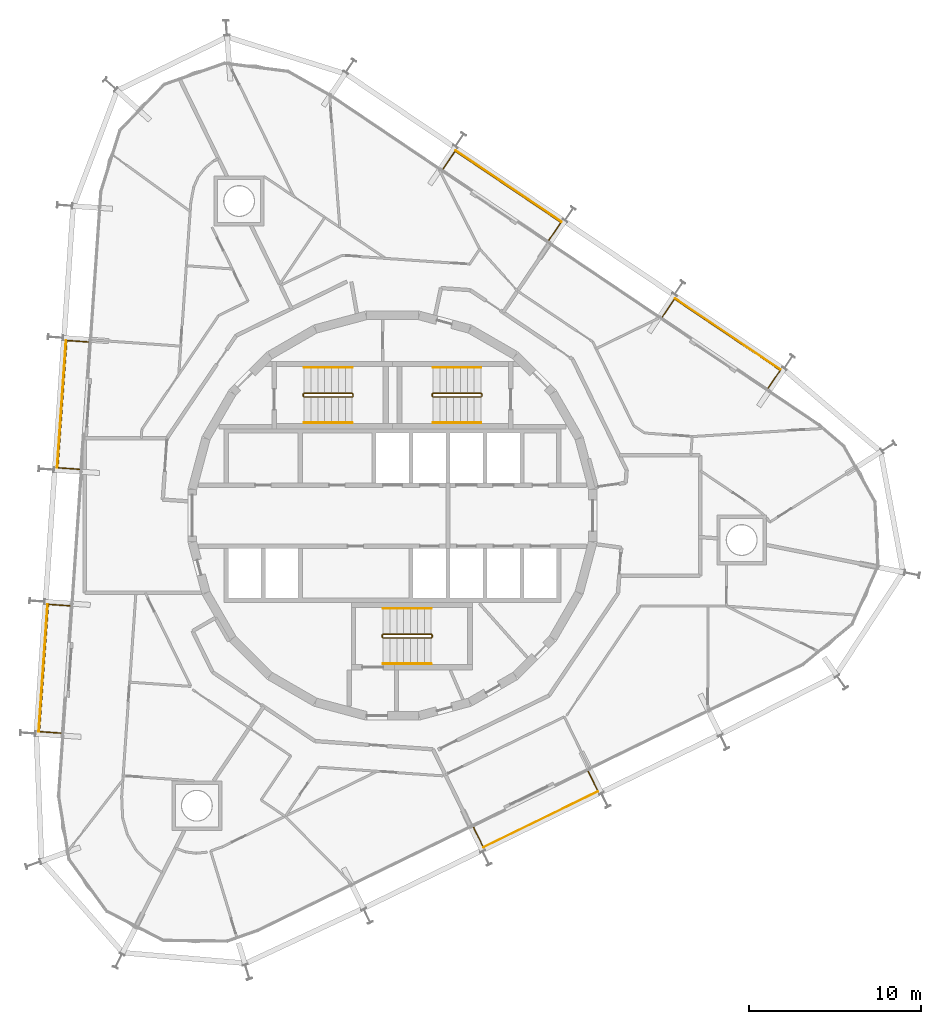
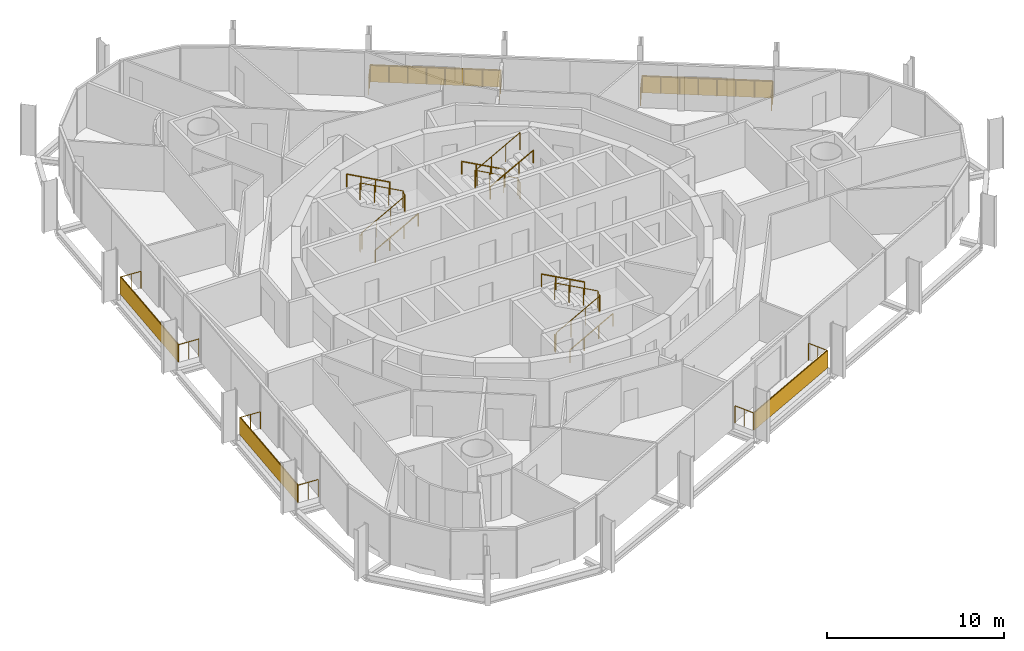
# One storey, part 17 of 17: 14 railings, 5 shading devices.
"""IFC4 building model written with IfcOpenShell, lengths in metres."""

from ifc_helpers import new_model, si_unit, direction, frame, origin, origin_2d, place, context, subcontext, project, spatial, rectangle, circle, extrude, material, layer, layer_set, type_object, element, save


model = new_model("IFC4")

# Units and contexts
model_context = context("Model", 3, precision=1e-05, world=origin(), true_north=direction((0.0, 1.0)))
body_context = subcontext(model_context, "Body", "Model", "MODEL_VIEW")
ifc_project = project(units=[si_unit("LENGTHUNIT", "METRE"), si_unit("AREAUNIT", "SQUARE_METRE"), si_unit("VOLUMEUNIT", "CUBIC_METRE"), si_unit("PLANEANGLEUNIT", "RADIAN"), si_unit("MASSUNIT", "GRAM", prefix="KILO")], contexts=[model_context])

# Site, building, storey
site_placement = place(None, origin())
site = spatial("IfcSite", under=ifc_project, at=site_placement, CompositionType="ELEMENT")
building_placement = place(site_placement, origin())
building = spatial("IfcBuilding", under=site, at=building_placement, Name="Spindle Arch Residences", CompositionType="ELEMENT")
storey_placement = place(building_placement, frame((0.0, 0.0, 212.89990234375)))
storey = spatial("IfcBuildingStorey", under=building, at=storey_placement, Name="L54", CompositionType="ELEMENT", Elevation=212.89990234375)

# Railings
ifc_material_1 = material(Name="Bronze anodised aluminium guard with glass infill", Category="aluminium")
railing_type_1 = type_object("IfcRailingType", Name="Balcony guard 1200", PredefinedType="GUARDRAIL", material=ifc_material_1)
railing_1_placement = place(storey_placement, frame((21.8544921875, 7.41796875, 0.0)))
element("IfcRailing", 1, at=railing_1_placement, inside=storey, type_object=railing_type_1, Name="Guard L54 bay 6", PredefinedType="GUARDRAIL", context=body_context, shape_type="SweptSolid", body=[
    extrude(circle(Radius=0.02392578125, at=origin_2d()), frame((0.0, 0.0, 1.17578125), z_axis=(0.559154156027, 0.829063706718, 0.0), x_axis=(-0.829063706718, 0.559154156027, 0.0)), (0.0, 0.0, 1.0), 1.25),
    extrude(circle(Radius=0.02392578125, at=origin_2d()), frame((0.698974609375, 1.036376953125, 1.17578125), z_axis=(-0.829032773144, 0.559200018824, 0.0), x_axis=(-0.559200018824, -0.829032773144, 0.0)), (0.0, 0.0, 1.0), 7.423828125),
    extrude(circle(Radius=0.02392578125, at=origin_2d()), frame((-5.45556640625, 5.187744140625, 1.17578125), z_axis=(-0.559154156027, -0.829063706718, 0.0), x_axis=(0.829063706718, -0.559154156027, 0.0)), (0.0, 0.0, 1.0), 1.25),
    extrude(circle(Radius=0.02099609375, at=origin_2d()), origin(), (0.0, 0.0, 1.0), 1.15185546875),
    extrude(circle(Radius=0.02099609375, at=origin_2d()), frame((0.349609375, 0.51806640625, 0.0)), (0.0, 0.0, 1.0), 1.15185546875),
    extrude(circle(Radius=0.02099609375, at=origin_2d()), frame((0.698974609375, 1.036376953125, 0.0)), (0.0, 0.0, 1.0), 1.15185546875),
    extrude(circle(Radius=0.02099609375, at=origin_2d()), frame((-0.18017578125, 1.62939453125, 0.0)), (0.0, 0.0, 1.0), 1.15185546875),
    extrude(circle(Radius=0.02099609375, at=origin_2d()), frame((-1.0595703125, 2.222412109375, 0.0)), (0.0, 0.0, 1.0), 1.15185546875),
    extrude(circle(Radius=0.02099609375, at=origin_2d()), frame((-1.938720703125, 2.8154296875, 0.0)), (0.0, 0.0, 1.0), 1.15185546875),
    extrude(circle(Radius=0.02099609375, at=origin_2d()), frame((-2.81787109375, 3.40869140625, 0.0)), (0.0, 0.0, 1.0), 1.15185546875),
    extrude(circle(Radius=0.02099609375, at=origin_2d()), frame((-3.697021484375, 4.001708984375, 0.0)), (0.0, 0.0, 1.0), 1.15185546875),
    extrude(circle(Radius=0.02099609375, at=origin_2d()), frame((-4.576416015625, 4.5947265625, 0.0)), (0.0, 0.0, 1.0), 1.15185546875),
    extrude(circle(Radius=0.02099609375, at=origin_2d()), frame((-5.45556640625, 5.187744140625, 0.0)), (0.0, 0.0, 1.0), 1.15185546875),
    extrude(circle(Radius=0.02099609375, at=origin_2d()), frame((-5.80517578125, 4.66943359375, 0.0)), (0.0, 0.0, 1.0), 1.15185546875),
    extrude(circle(Radius=0.02099609375, at=origin_2d()), frame((-6.154541015625, 4.1513671875, 0.0)), (0.0, 0.0, 1.0), 1.15185546875),
])
railing_2_placement = place(storey_placement, frame((9.097900390625, 16.022705078125, 0.0)))
element("IfcRailing", 2, at=railing_2_placement, inside=storey, type_object=railing_type_1, Name="Guard L54 bay 8", PredefinedType="GUARDRAIL", context=body_context, shape_type="SweptSolid", body=[
    extrude(circle(Radius=0.02392578125, at=origin_2d()), frame((0.0, 0.0, 1.17578125), z_axis=(0.559244705098, 0.829002629562, 0.0), x_axis=(-0.829002629562, 0.559244705098, 0.0)), (0.0, 0.0, 1.0), 1.249755859375),
    extrude(circle(Radius=0.02392578125, at=origin_2d()), frame((0.698974609375, 1.0361328125, 1.17578125), z_axis=(-0.829032773144, 0.559200018824, 0.0), x_axis=(-0.559200018824, -0.829032773144, 0.0)), (0.0, 0.0, 1.0), 7.423828125),
    extrude(circle(Radius=0.02392578125, at=origin_2d()), frame((-5.45556640625, 5.1875, 1.17578125), z_axis=(-0.559154156027, -0.829063706718, 0.0), x_axis=(0.829063706718, -0.559154156027, 0.0)), (0.0, 0.0, 1.0), 1.25),
    extrude(circle(Radius=0.02099609375, at=origin_2d()), origin(), (0.0, 0.0, 1.0), 1.15185546875),
    extrude(circle(Radius=0.02099609375, at=origin_2d()), frame((0.349609375, 0.51806640625, 0.0)), (0.0, 0.0, 1.0), 1.15185546875),
    extrude(circle(Radius=0.02099609375, at=origin_2d()), frame((0.698974609375, 1.0361328125, 0.0)), (0.0, 0.0, 1.0), 1.15185546875),
    extrude(circle(Radius=0.02099609375, at=origin_2d()), frame((-0.18017578125, 1.629150390625, 0.0)), (0.0, 0.0, 1.0), 1.15185546875),
    extrude(circle(Radius=0.02099609375, at=origin_2d()), frame((-1.0595703125, 2.22216796875, 0.0)), (0.0, 0.0, 1.0), 1.15185546875),
    extrude(circle(Radius=0.02099609375, at=origin_2d()), frame((-1.938720703125, 2.815185546875, 0.0)), (0.0, 0.0, 1.0), 1.15185546875),
    extrude(circle(Radius=0.02099609375, at=origin_2d()), frame((-2.81787109375, 3.408447265625, 0.0)), (0.0, 0.0, 1.0), 1.15185546875),
    extrude(circle(Radius=0.02099609375, at=origin_2d()), frame((-3.697021484375, 4.00146484375, 0.0)), (0.0, 0.0, 1.0), 1.15185546875),
    extrude(circle(Radius=0.02099609375, at=origin_2d()), frame((-4.576416015625, 4.594482421875, 0.0)), (0.0, 0.0, 1.0), 1.15185546875),
    extrude(circle(Radius=0.02099609375, at=origin_2d()), frame((-5.45556640625, 5.1875, 0.0)), (0.0, 0.0, 1.0), 1.15185546875),
    extrude(circle(Radius=0.02099609375, at=origin_2d()), frame((-5.80517578125, 4.66943359375, 0.0)), (0.0, 0.0, 1.0), 1.15185546875),
    extrude(circle(Radius=0.02099609375, at=origin_2d()), frame((-6.154541015625, 4.151123046875, 0.0)), (0.0, 0.0, 1.0), 1.15185546875),
])
railing_3_placement = place(storey_placement, frame((-17.709228515625, 10.100830078125, 0.0)))
element("IfcRailing", 3, at=railing_3_placement, inside=storey, type_object=railing_type_1, Name="Guard L54 bay 14", PredefinedType="GUARDRAIL", context=body_context, shape_type="SweptSolid", body=[
    extrude(circle(Radius=0.02392578125, at=origin_2d()), frame((0.0, 0.0, 1.17578125), z_axis=(-0.997552977804, 0.06991463705, 0.0), x_axis=(-0.06991463705, -0.997552977804, 0.0)), (0.0, 0.0, 1.0), 1.250244140625),
    extrude(circle(Radius=0.02392578125, at=origin_2d()), frame((-1.2470703125, 0.08740234375, 1.17578125), z_axis=(-0.069751240415, -0.997564416196, 0.0), x_axis=(0.997564416196, -0.069751240415, 0.0)), (0.0, 0.0, 1.0), 7.423828125),
    extrude(circle(Radius=0.02392578125, at=origin_2d()), frame((-1.764892578125, -7.318359375, 1.17578125), z_axis=(0.997566579437, -0.069720295391, 0.0), x_axis=(0.069720295391, 0.997566579437, 0.0)), (0.0, 0.0, 1.0), 1.25),
    extrude(circle(Radius=0.02099609375, at=origin_2d()), origin(), (0.0, 0.0, 1.0), 1.15185546875),
    extrude(circle(Radius=0.02099609375, at=origin_2d()), frame((-0.62353515625, 0.043701171875, 0.0)), (0.0, 0.0, 1.0), 1.15185546875),
    extrude(circle(Radius=0.02099609375, at=origin_2d()), frame((-1.2470703125, 0.08740234375, 0.0)), (0.0, 0.0, 1.0), 1.15185546875),
    extrude(circle(Radius=0.02099609375, at=origin_2d()), frame((-1.321044921875, -0.970458984375, 0.0)), (0.0, 0.0, 1.0), 1.15185546875),
    extrude(circle(Radius=0.02099609375, at=origin_2d()), frame((-1.39501953125, -2.028564453125, 0.0)), (0.0, 0.0, 1.0), 1.15185546875),
    extrude(circle(Radius=0.02099609375, at=origin_2d()), frame((-1.468994140625, -3.08642578125, 0.0)), (0.0, 0.0, 1.0), 1.15185546875),
    extrude(circle(Radius=0.02099609375, at=origin_2d()), frame((-1.54296875, -4.14453125, 0.0)), (0.0, 0.0, 1.0), 1.15185546875),
    extrude(circle(Radius=0.02099609375, at=origin_2d()), frame((-1.616943359375, -5.202392578125, 0.0)), (0.0, 0.0, 1.0), 1.15185546875),
    extrude(circle(Radius=0.02099609375, at=origin_2d()), frame((-1.69091796875, -6.260498046875, 0.0)), (0.0, 0.0, 1.0), 1.15185546875),
    extrude(circle(Radius=0.02099609375, at=origin_2d()), frame((-1.764892578125, -7.318359375, 0.0)), (0.0, 0.0, 1.0), 1.15185546875),
    extrude(circle(Radius=0.02099609375, at=origin_2d()), frame((-1.141357421875, -7.36181640625, 0.0)), (0.0, 0.0, 1.0), 1.15185546875),
    extrude(circle(Radius=0.02099609375, at=origin_2d()), frame((-0.517822265625, -7.405517578125, 0.0)), (0.0, 0.0, 1.0), 1.15185546875),
])
railing_4_placement = place(storey_placement, frame((-18.78271484375, -5.2490234375, 0.0)))
element("IfcRailing", 4, at=railing_4_placement, inside=storey, type_object=railing_type_1, Name="Guard L54 bay 16", PredefinedType="GUARDRAIL", context=body_context, shape_type="SweptSolid", body=[
    extrude(circle(Radius=0.02392578125, at=origin_2d()), frame((0.0, 0.0, 1.17578125), z_axis=(-0.997565629847, 0.069733880919, 0.0), x_axis=(-0.069733880919, -0.997565629847, 0.0)), (0.0, 0.0, 1.0), 1.249755859375),
    extrude(circle(Radius=0.02392578125, at=origin_2d()), frame((-1.246826171875, 0.087158203125, 1.17578125), z_axis=(-0.069753528744, -0.99756425619, 0.0), x_axis=(0.99756425619, -0.069753528744, 0.0)), (0.0, 0.0, 1.0), 7.423583984375),
    extrude(circle(Radius=0.02392578125, at=origin_2d()), frame((-1.7646484375, -7.318359375, 1.17578125), z_axis=(0.997565629847, -0.069733880919, 0.0), x_axis=(0.069733880919, 0.997565629847, 0.0)), (0.0, 0.0, 1.0), 1.249755859375),
    extrude(circle(Radius=0.02099609375, at=origin_2d()), origin(), (0.0, 0.0, 1.0), 1.15185546875),
    extrude(circle(Radius=0.02099609375, at=origin_2d()), frame((-0.62353515625, 0.04345703125, 0.0)), (0.0, 0.0, 1.0), 1.15185546875),
    extrude(circle(Radius=0.02099609375, at=origin_2d()), frame((-1.246826171875, 0.087158203125, 0.0)), (0.0, 0.0, 1.0), 1.15185546875),
    extrude(circle(Radius=0.02099609375, at=origin_2d()), frame((-1.32080078125, -0.970703125, 0.0)), (0.0, 0.0, 1.0), 1.15185546875),
    extrude(circle(Radius=0.02099609375, at=origin_2d()), frame((-1.394775390625, -2.02880859375, 0.0)), (0.0, 0.0, 1.0), 1.15185546875),
    extrude(circle(Radius=0.02099609375, at=origin_2d()), frame((-1.46875, -3.086669921875, 0.0)), (0.0, 0.0, 1.0), 1.15185546875),
    extrude(circle(Radius=0.02099609375, at=origin_2d()), frame((-1.542724609375, -4.14453125, 0.0)), (0.0, 0.0, 1.0), 1.15185546875),
    extrude(circle(Radius=0.02099609375, at=origin_2d()), frame((-1.61669921875, -5.202392578125, 0.0)), (0.0, 0.0, 1.0), 1.15185546875),
    extrude(circle(Radius=0.02099609375, at=origin_2d()), frame((-1.690673828125, -6.260498046875, 0.0)), (0.0, 0.0, 1.0), 1.15185546875),
    extrude(circle(Radius=0.02099609375, at=origin_2d()), frame((-1.7646484375, -7.318359375, 0.0)), (0.0, 0.0, 1.0), 1.15185546875),
    extrude(circle(Radius=0.02099609375, at=origin_2d()), frame((-1.14111328125, -7.36181640625, 0.0)), (0.0, 0.0, 1.0), 1.15185546875),
    extrude(circle(Radius=0.02099609375, at=origin_2d()), frame((-0.517822265625, -7.405517578125, 0.0)), (0.0, 0.0, 1.0), 1.15185546875),
])
railing_5_placement = place(storey_placement, frame((4.717041015625, -18.138671875, 0.0)))
element("IfcRailing", 5, at=railing_5_placement, inside=storey, type_object=railing_type_1, Name="Guard L54 bay 22", PredefinedType="GUARDRAIL", context=body_context, shape_type="SweptSolid", body=[
    extrude(circle(Radius=0.02392578125, at=origin_2d()), frame((0.0, 0.0, 1.17578125), z_axis=(0.438285095444, -0.898836011245, 0.0), x_axis=(0.898836011245, 0.438285095444, 0.0)), (0.0, 0.0, 1.0), 1.25),
    extrude(circle(Radius=0.02392578125, at=origin_2d()), frame((0.5478515625, -1.12353515625, 1.17578125), z_axis=(0.898790569069, 0.438378276096, 0.0), x_axis=(-0.438378276096, 0.898790569069, 0.0)), (0.0, 0.0, 1.0), 7.423828125),
    extrude(circle(Radius=0.02392578125, at=origin_2d()), frame((7.22021484375, 2.130859375, 1.17578125), z_axis=(-0.438285095444, 0.898836011245, 0.0), x_axis=(-0.898836011245, -0.438285095444, 0.0)), (0.0, 0.0, 1.0), 1.25),
    extrude(circle(Radius=0.02099609375, at=origin_2d()), origin(), (0.0, 0.0, 1.0), 1.15185546875),
    extrude(circle(Radius=0.02099609375, at=origin_2d()), frame((0.27392578125, -0.561767578125, 0.0)), (0.0, 0.0, 1.0), 1.15185546875),
    extrude(circle(Radius=0.02099609375, at=origin_2d()), frame((0.5478515625, -1.12353515625, 0.0)), (0.0, 0.0, 1.0), 1.15185546875),
    extrude(circle(Radius=0.02099609375, at=origin_2d()), frame((1.5009765625, -0.65869140625, 0.0)), (0.0, 0.0, 1.0), 1.15185546875),
    extrude(circle(Radius=0.02099609375, at=origin_2d()), frame((2.454345703125, -0.193603515625, 0.0)), (0.0, 0.0, 1.0), 1.15185546875),
    extrude(circle(Radius=0.02099609375, at=origin_2d()), frame((3.407470703125, 0.271240234375, 0.0)), (0.0, 0.0, 1.0), 1.15185546875),
    extrude(circle(Radius=0.02099609375, at=origin_2d()), frame((4.360595703125, 0.736083984375, 0.0)), (0.0, 0.0, 1.0), 1.15185546875),
    extrude(circle(Radius=0.02099609375, at=origin_2d()), frame((5.313720703125, 1.200927734375, 0.0)), (0.0, 0.0, 1.0), 1.15185546875),
    extrude(circle(Radius=0.02099609375, at=origin_2d()), frame((6.26708984375, 1.666015625, 0.0)), (0.0, 0.0, 1.0), 1.15185546875),
    extrude(circle(Radius=0.02099609375, at=origin_2d()), frame((7.22021484375, 2.130859375, 0.0)), (0.0, 0.0, 1.0), 1.15185546875),
    extrude(circle(Radius=0.02099609375, at=origin_2d()), frame((6.9462890625, 2.692626953125, 0.0)), (0.0, 0.0, 1.0), 1.15185546875),
    extrude(circle(Radius=0.02099609375, at=origin_2d()), frame((6.67236328125, 3.25439453125, 0.0)), (0.0, 0.0, 1.0), 1.15185546875),
])

# Shading devices
ifc_material_2 = material(Name="Bronze perforated cobogo screen")
ifc_layer = layer(ifc_material_2, 0.0390625)
ifc_layer_set = layer_set([ifc_layer], Name="Cobogo screen 1200")
shading_device_type = type_object("IfcShadingDeviceType", Name="Cobogo screen 1200", PredefinedType="USERDEFINED", material=ifc_layer_set)
for number, where, z_axis, x_axis, name in (
    (6, (19.4990234375, 10.5634765625, 0.0), (0.0, 0.0, 1.0), (-0.829037572555, 0.559192903471, 0.0), "Cobogo screen L54 bay 6"),
    (7, (6.7421875, 19.168212890625, 0.0), (0.0, 0.0, 1.0), (-0.829037572555, 0.559192903471, 0.0), "Cobogo screen L54 bay 8"),
    (8, (-19.255615234375, 6.488037109375, 0.0), (0.0, 0.0, 1.0), (-0.069756473744, -0.99756405026, 0.0), "Cobogo screen L54 bay 14"),
    (9, (-20.328857421875, -8.86181640625, 0.0), (0.0, 0.0, 1.0), (-0.069756473744, -0.99756405026, 0.0), "Cobogo screen L54 bay 16"),
    (10, (8.618896484375, -17.67138671875, 0.0), (0.0, 0.0, 1.0), (0.898794046299, 0.438371146789, 0.0), "Cobogo screen L54 bay 22"),
):
    element("IfcShadingDevice", number, at=place(storey_placement, frame(where, z_axis=z_axis, x_axis=x_axis)), inside=storey, type_object=shading_device_type, Name=name, ObjectType="SCREEN", PredefinedType="USERDEFINED", context=body_context, shape_type="SweptSolid", body=[
        extrude(rectangle(XDim=7.423828125, YDim=0.0390625, at=origin_2d()), origin(), (0.0, 0.0, 1.0), 1.199951171875),
    ])

# Railings
ifc_material_3 = material(Name="Steel, painted", Category="steel")
railing_type_2 = type_object("IfcRailingType", Name="Stair guard 1100", PredefinedType="GUARDRAIL", material=ifc_material_3)
railing_6_placement = place(storey_placement, frame((5.14990234375, 6.89990234375, 3.5)))
element("IfcRailing", 11, at=railing_6_placement, inside=storey, type_object=railing_type_2, Name="L54 ST1 stair guard 1", PredefinedType="GUARDRAIL", context=body_context, shape_type="SweptSolid", body=[
    extrude(circle(Radius=0.02392578125, at=origin_2d()), frame((0.0, 0.0, 1.17578125), z_axis=(-0.877357048833, 0.0, -0.479838106931), x_axis=(0.0, -1.0, 0.0)), (0.0, 0.0, 1.0), 3.191162109375),
    extrude(circle(Radius=0.02392578125, at=origin_2d()), frame((-2.7998046875, 0.0, -0.35546875), z_axis=(-0.217683172539, 0.217683172539, -0.951434744366), x_axis=(-0.707106781187, -0.707106781187, 0.0)), (0.0, 0.0, 1.0), 0.22998046875),
    extrude(circle(Radius=0.02392578125, at=origin_2d()), frame((-2.849853515625, 0.050048828125, -0.57421875), z_axis=(0.0, 1.0, 0.0), x_axis=(-1.0, 0.0, 0.0)), (0.0, 0.0, 1.0), 0.1201171875),
    extrude(circle(Radius=0.02392578125, at=origin_2d()), frame((-2.849853515625, 0.170166015625, -0.57421875), z_axis=(0.707106781187, 0.707106781187, 0.0), x_axis=(-0.707106781187, 0.707106781187, 0.0)), (0.0, 0.0, 1.0), 0.07080078125),
    extrude(circle(Radius=0.02392578125, at=origin_2d()), frame((-2.7998046875, 0.22021484375, -0.57421875), z_axis=(0.877357048833, 0.0, -0.479838106931), x_axis=(0.0, 1.0, 0.0)), (0.0, 0.0, 1.0), 3.191162109375),
    extrude(circle(Radius=0.02392578125, at=origin_2d()), frame((0.0, 0.22021484375, -2.10546875), z_axis=(0.217683172539, -0.217683172539, -0.951434744366), x_axis=(0.707106781187, 0.707106781187, 0.0)), (0.0, 0.0, 1.0), 0.22998046875),
    extrude(circle(Radius=0.02392578125, at=origin_2d()), frame((0.050048828125, 0.170166015625, -2.32421875), z_axis=(0.0, -1.0, 0.0), x_axis=(1.0, 0.0, 0.0)), (0.0, 0.0, 1.0), 0.1201171875),
    extrude(circle(Radius=0.02099609375, at=origin_2d()), origin(), (0.0, 0.0, 1.0), 1.15185546875),
    extrude(circle(Radius=0.02099609375, at=origin_2d()), frame((-0.933349609375, 0.0, -0.510498046875)), (0.0, 0.0, 1.0), 1.15185546875),
    extrude(circle(Radius=0.02099609375, at=origin_2d()), frame((-1.866455078125, 0.0, -1.020751953125)), (0.0, 0.0, 1.0), 1.15185546875),
    extrude(circle(Radius=0.02099609375, at=origin_2d()), frame((-2.7998046875, 0.0, -1.53125)), (0.0, 0.0, 1.0), 1.15185546875),
    extrude(circle(Radius=0.02099609375, at=origin_2d()), frame((-2.849853515625, 0.050048828125, -1.75)), (0.0, 0.0, 1.0), 1.15185546875),
    extrude(circle(Radius=0.02099609375, at=origin_2d()), frame((-2.849853515625, 0.170166015625, -1.75)), (0.0, 0.0, 1.0), 1.15185546875),
    extrude(circle(Radius=0.02099609375, at=origin_2d()), frame((-2.7998046875, 0.22021484375, -1.75)), (0.0, 0.0, 1.0), 1.15185546875),
    extrude(circle(Radius=0.02099609375, at=origin_2d()), frame((-1.866455078125, 0.22021484375, -2.260498046875)), (0.0, 0.0, 1.0), 1.15185546875),
    extrude(circle(Radius=0.02099609375, at=origin_2d()), frame((-0.933349609375, 0.22021484375, -2.770751953125)), (0.0, 0.0, 1.0), 1.15185546875),
    extrude(circle(Radius=0.02099609375, at=origin_2d()), frame((0.0, 0.22021484375, -3.28125)), (0.0, 0.0, 1.0), 1.15185546875),
    extrude(circle(Radius=0.02099609375, at=origin_2d()), frame((0.050048828125, 0.170166015625, -3.5)), (0.0, 0.0, 1.0), 1.15185546875),
    extrude(circle(Radius=0.02099609375, at=origin_2d()), frame((0.050048828125, 0.050048828125, -3.5)), (0.0, 0.0, 1.0), 1.15185546875),
])
railing_7_placement = place(storey_placement, frame((-5.14990234375, 7.1201171875, 3.5)))
element("IfcRailing", 12, at=railing_7_placement, inside=storey, type_object=railing_type_2, Name="L54 ST2 stair guard 1", PredefinedType="GUARDRAIL", context=body_context, shape_type="SweptSolid", body=[
    extrude(circle(Radius=0.02392578125, at=origin_2d()), frame((0.0, 0.0, 1.17578125), z_axis=(0.877357048833, 0.0, -0.479838106931), x_axis=(0.0, 1.0, 0.0)), (0.0, 0.0, 1.0), 3.191162109375),
    extrude(circle(Radius=0.02392578125, at=origin_2d()), frame((2.7998046875, 0.0, -0.35546875), z_axis=(0.217683172539, -0.217683172539, -0.951434744366), x_axis=(0.707106781187, 0.707106781187, 0.0)), (0.0, 0.0, 1.0), 0.22998046875),
    extrude(circle(Radius=0.02392578125, at=origin_2d()), frame((2.849853515625, -0.050048828125, -0.57421875), z_axis=(0.0, -1.0, 0.0), x_axis=(1.0, 0.0, 0.0)), (0.0, 0.0, 1.0), 0.1201171875),
    extrude(circle(Radius=0.02392578125, at=origin_2d()), frame((2.849853515625, -0.170166015625, -0.57421875), z_axis=(-0.707106781187, -0.707106781187, 0.0), x_axis=(0.707106781187, -0.707106781187, 0.0)), (0.0, 0.0, 1.0), 0.07080078125),
    extrude(circle(Radius=0.02392578125, at=origin_2d()), frame((2.7998046875, -0.22021484375, -0.57421875), z_axis=(-0.877357048833, 0.0, -0.479838106931), x_axis=(0.0, -1.0, 0.0)), (0.0, 0.0, 1.0), 3.191162109375),
    extrude(circle(Radius=0.02392578125, at=origin_2d()), frame((0.0, -0.22021484375, -2.10546875), z_axis=(-0.217683172539, 0.217683172539, -0.951434744366), x_axis=(-0.707106781187, -0.707106781187, 0.0)), (0.0, 0.0, 1.0), 0.22998046875),
    extrude(circle(Radius=0.02392578125, at=origin_2d()), frame((-0.050048828125, -0.170166015625, -2.32421875), z_axis=(0.0, 1.0, 0.0), x_axis=(-1.0, 0.0, 0.0)), (0.0, 0.0, 1.0), 0.1201171875),
    extrude(circle(Radius=0.02099609375, at=origin_2d()), origin(), (0.0, 0.0, 1.0), 1.15185546875),
    extrude(circle(Radius=0.02099609375, at=origin_2d()), frame((0.933349609375, 0.0, -0.510498046875)), (0.0, 0.0, 1.0), 1.15185546875),
    extrude(circle(Radius=0.02099609375, at=origin_2d()), frame((1.866455078125, 0.0, -1.020751953125)), (0.0, 0.0, 1.0), 1.15185546875),
    extrude(circle(Radius=0.02099609375, at=origin_2d()), frame((2.7998046875, 0.0, -1.53125)), (0.0, 0.0, 1.0), 1.15185546875),
    extrude(circle(Radius=0.02099609375, at=origin_2d()), frame((2.849853515625, -0.050048828125, -1.75)), (0.0, 0.0, 1.0), 1.15185546875),
    extrude(circle(Radius=0.02099609375, at=origin_2d()), frame((2.849853515625, -0.170166015625, -1.75)), (0.0, 0.0, 1.0), 1.15185546875),
    extrude(circle(Radius=0.02099609375, at=origin_2d()), frame((2.7998046875, -0.22021484375, -1.75)), (0.0, 0.0, 1.0), 1.15185546875),
    extrude(circle(Radius=0.02099609375, at=origin_2d()), frame((1.866455078125, -0.22021484375, -2.260498046875)), (0.0, 0.0, 1.0), 1.15185546875),
    extrude(circle(Radius=0.02099609375, at=origin_2d()), frame((0.933349609375, -0.22021484375, -2.770751953125)), (0.0, 0.0, 1.0), 1.15185546875),
    extrude(circle(Radius=0.02099609375, at=origin_2d()), frame((0.0, -0.22021484375, -3.28125)), (0.0, 0.0, 1.0), 1.15185546875),
    extrude(circle(Radius=0.02099609375, at=origin_2d()), frame((-0.050048828125, -0.170166015625, -3.5)), (0.0, 0.0, 1.0), 1.15185546875),
    extrude(circle(Radius=0.02099609375, at=origin_2d()), frame((-0.050048828125, -0.050048828125, -3.5)), (0.0, 0.0, 1.0), 1.15185546875),
])
railing_8_placement = place(storey_placement, frame((-0.550048828125, -6.89990234375, 3.5)))
element("IfcRailing", 13, at=railing_8_placement, inside=storey, type_object=railing_type_2, Name="L54 ST3 stair guard 1", PredefinedType="GUARDRAIL", context=body_context, shape_type="SweptSolid", body=[
    extrude(circle(Radius=0.02392578125, at=origin_2d()), frame((0.0, 0.0, 1.17578125), z_axis=(0.877374661878, 0.0, -0.479805901063), x_axis=(0.0, 1.0, 0.0)), (0.0, 0.0, 1.0), 3.19140625),
    extrude(circle(Radius=0.02392578125, at=origin_2d()), frame((2.800048828125, 0.0, -0.35546875), z_axis=(0.217683172539, -0.217683172539, -0.951434744366), x_axis=(0.707106781187, 0.707106781187, 0.0)), (0.0, 0.0, 1.0), 0.22998046875),
    extrude(circle(Radius=0.02392578125, at=origin_2d()), frame((2.85009765625, -0.050048828125, -0.57421875), z_axis=(0.0, -1.0, 0.0), x_axis=(1.0, 0.0, 0.0)), (0.0, 0.0, 1.0), 0.1201171875),
    extrude(circle(Radius=0.02392578125, at=origin_2d()), frame((2.85009765625, -0.170166015625, -0.57421875), z_axis=(-0.707106781187, -0.707106781187, 0.0), x_axis=(0.707106781187, -0.707106781187, 0.0)), (0.0, 0.0, 1.0), 0.07080078125),
    extrude(circle(Radius=0.02392578125, at=origin_2d()), frame((2.800048828125, -0.22021484375, -0.57421875), z_axis=(-0.877374661878, 0.0, -0.479805901063), x_axis=(0.0, -1.0, 0.0)), (0.0, 0.0, 1.0), 3.19140625),
    extrude(circle(Radius=0.02392578125, at=origin_2d()), frame((0.0, -0.22021484375, -2.10546875), z_axis=(-0.217683172539, 0.217683172539, -0.951434744366), x_axis=(-0.707106781187, -0.707106781187, 0.0)), (0.0, 0.0, 1.0), 0.22998046875),
    extrude(circle(Radius=0.02392578125, at=origin_2d()), frame((-0.050048828125, -0.170166015625, -2.32421875), z_axis=(0.0, 1.0, 0.0), x_axis=(-1.0, 0.0, 0.0)), (0.0, 0.0, 1.0), 0.1201171875),
    extrude(circle(Radius=0.02099609375, at=origin_2d()), origin(), (0.0, 0.0, 1.0), 1.15185546875),
    extrude(circle(Radius=0.02099609375, at=origin_2d()), frame((0.933349609375, 0.0, -0.510498046875)), (0.0, 0.0, 1.0), 1.15185546875),
    extrude(circle(Radius=0.02099609375, at=origin_2d()), frame((1.86669921875, 0.0, -1.020751953125)), (0.0, 0.0, 1.0), 1.15185546875),
    extrude(circle(Radius=0.02099609375, at=origin_2d()), frame((2.800048828125, 0.0, -1.53125)), (0.0, 0.0, 1.0), 1.15185546875),
    extrude(circle(Radius=0.02099609375, at=origin_2d()), frame((2.85009765625, -0.050048828125, -1.75)), (0.0, 0.0, 1.0), 1.15185546875),
    extrude(circle(Radius=0.02099609375, at=origin_2d()), frame((2.85009765625, -0.170166015625, -1.75)), (0.0, 0.0, 1.0), 1.15185546875),
    extrude(circle(Radius=0.02099609375, at=origin_2d()), frame((2.800048828125, -0.22021484375, -1.75)), (0.0, 0.0, 1.0), 1.15185546875),
    extrude(circle(Radius=0.02099609375, at=origin_2d()), frame((1.86669921875, -0.22021484375, -2.260498046875)), (0.0, 0.0, 1.0), 1.15185546875),
    extrude(circle(Radius=0.02099609375, at=origin_2d()), frame((0.933349609375, -0.22021484375, -2.770751953125)), (0.0, 0.0, 1.0), 1.15185546875),
    extrude(circle(Radius=0.02099609375, at=origin_2d()), frame((0.0, -0.22021484375, -3.28125)), (0.0, 0.0, 1.0), 1.15185546875),
    extrude(circle(Radius=0.02099609375, at=origin_2d()), frame((-0.050048828125, -0.170166015625, -3.5)), (0.0, 0.0, 1.0), 1.15185546875),
    extrude(circle(Radius=0.02099609375, at=origin_2d()), frame((-0.050048828125, -0.050048828125, -3.5)), (0.0, 0.0, 1.0), 1.15185546875),
])
ifc_material_4 = material(Name="Steel, painted", Category="steel")
railing_type_3 = type_object("IfcRailingType", Name="Stair handrail 900", PredefinedType="HANDRAIL", material=ifc_material_4)
railing_9_placement = place(storey_placement, frame((5.14990234375, 8.6201171875, 0.21875)))
element("IfcRailing", 14, at=railing_9_placement, inside=storey, type_object=railing_type_3, Name="L54 ST1 stair handrail 1", PredefinedType="HANDRAIL", context=body_context, shape_type="SweptSolid", body=[
    extrude(circle(Radius=0.02392578125, at=origin_2d()), frame((0.0, 0.0, 0.8759765625), z_axis=(-0.877357048833, 0.0, 0.479838106931), x_axis=(0.0, -1.0, 0.0)), (0.0, 0.0, 1.0), 3.191162109375),
    extrude(circle(Radius=0.02099609375, at=origin_2d()), origin(), (0.0, 0.0, 1.0), 0.851806640625),
    extrude(circle(Radius=0.02099609375, at=origin_2d()), frame((-0.933349609375, 0.0, 0.510498046875)), (0.0, 0.0, 1.0), 0.851806640625),
    extrude(circle(Radius=0.02099609375, at=origin_2d()), frame((-1.866455078125, 0.0, 1.020751953125)), (0.0, 0.0, 1.0), 0.851806640625),
    extrude(circle(Radius=0.02099609375, at=origin_2d()), frame((-2.7998046875, 0.0, 1.53125)), (0.0, 0.0, 1.0), 0.851806640625),
])
for number, where, name in (
    (15, (2.35009765625, 5.39990234375, 1.96875), "L54 ST1 stair handrail 2"),
    (16, (-5.14990234375, 5.39990234375, 0.21875), "L54 ST2 stair handrail 1"),
):
    element("IfcRailing", number, at=place(storey_placement, frame(where)), inside=storey, type_object=railing_type_3, Name=name, PredefinedType="HANDRAIL", context=body_context, shape_type="SweptSolid", body=[
        extrude(circle(Radius=0.02392578125, at=origin_2d()), frame((0.0, 0.0, 0.8759765625), z_axis=(0.877357048833, 0.0, 0.479838106931), x_axis=(0.0, 1.0, 0.0)), (0.0, 0.0, 1.0), 3.191162109375),
        extrude(circle(Radius=0.02099609375, at=origin_2d()), origin(), (0.0, 0.0, 1.0), 0.851806640625),
        extrude(circle(Radius=0.02099609375, at=origin_2d()), frame((0.933349609375, 0.0, 0.510498046875)), (0.0, 0.0, 1.0), 0.851806640625),
        extrude(circle(Radius=0.02099609375, at=origin_2d()), frame((1.866455078125, 0.0, 1.020751953125)), (0.0, 0.0, 1.0), 0.851806640625),
        extrude(circle(Radius=0.02099609375, at=origin_2d()), frame((2.7998046875, 0.0, 1.53125)), (0.0, 0.0, 1.0), 0.851806640625),
    ])
railing_10_placement = place(storey_placement, frame((-2.35009765625, 8.6201171875, 1.96875)))
element("IfcRailing", 17, at=railing_10_placement, inside=storey, type_object=railing_type_3, Name="L54 ST2 stair handrail 2", PredefinedType="HANDRAIL", context=body_context, shape_type="SweptSolid", body=[
    extrude(circle(Radius=0.02392578125, at=origin_2d()), frame((0.0, 0.0, 0.8759765625), z_axis=(-0.877357048833, 0.0, 0.479838106931), x_axis=(0.0, -1.0, 0.0)), (0.0, 0.0, 1.0), 3.191162109375),
    extrude(circle(Radius=0.02099609375, at=origin_2d()), origin(), (0.0, 0.0, 1.0), 0.851806640625),
    extrude(circle(Radius=0.02099609375, at=origin_2d()), frame((-0.933349609375, 0.0, 0.510498046875)), (0.0, 0.0, 1.0), 0.851806640625),
    extrude(circle(Radius=0.02099609375, at=origin_2d()), frame((-1.866455078125, 0.0, 1.020751953125)), (0.0, 0.0, 1.0), 0.851806640625),
    extrude(circle(Radius=0.02099609375, at=origin_2d()), frame((-2.7998046875, 0.0, 1.53125)), (0.0, 0.0, 1.0), 0.851806640625),
])
railing_11_placement = place(storey_placement, frame((-0.550048828125, -8.6201171875, 0.21875)))
element("IfcRailing", 18, at=railing_11_placement, inside=storey, type_object=railing_type_3, Name="L54 ST3 stair handrail 1", PredefinedType="HANDRAIL", context=body_context, shape_type="SweptSolid", body=[
    extrude(circle(Radius=0.02392578125, at=origin_2d()), frame((0.0, 0.0, 0.8759765625), z_axis=(0.877374661878, 0.0, 0.479805901063), x_axis=(0.0, 1.0, 0.0)), (0.0, 0.0, 1.0), 3.19140625),
    extrude(circle(Radius=0.02099609375, at=origin_2d()), origin(), (0.0, 0.0, 1.0), 0.851806640625),
    extrude(circle(Radius=0.02099609375, at=origin_2d()), frame((0.933349609375, 0.0, 0.510498046875)), (0.0, 0.0, 1.0), 0.851806640625),
    extrude(circle(Radius=0.02099609375, at=origin_2d()), frame((1.86669921875, 0.0, 1.020751953125)), (0.0, 0.0, 1.0), 0.851806640625),
    extrude(circle(Radius=0.02099609375, at=origin_2d()), frame((2.800048828125, 0.0, 1.53125)), (0.0, 0.0, 1.0), 0.851806640625),
])
railing_12_placement = place(storey_placement, frame((2.25, -5.39990234375, 1.96875)))
element("IfcRailing", 19, at=railing_12_placement, inside=storey, type_object=railing_type_3, Name="L54 ST3 stair handrail 2", PredefinedType="HANDRAIL", context=body_context, shape_type="SweptSolid", body=[
    extrude(circle(Radius=0.02392578125, at=origin_2d()), frame((0.0, 0.0, 0.8759765625), z_axis=(-0.877374661878, 0.0, 0.479805901063), x_axis=(0.0, -1.0, 0.0)), (0.0, 0.0, 1.0), 3.19140625),
    extrude(circle(Radius=0.02099609375, at=origin_2d()), origin(), (0.0, 0.0, 1.0), 0.851806640625),
    extrude(circle(Radius=0.02099609375, at=origin_2d()), frame((-0.933349609375, 0.0, 0.510498046875)), (0.0, 0.0, 1.0), 0.851806640625),
    extrude(circle(Radius=0.02099609375, at=origin_2d()), frame((-1.86669921875, 0.0, 1.020751953125)), (0.0, 0.0, 1.0), 0.851806640625),
    extrude(circle(Radius=0.02099609375, at=origin_2d()), frame((-2.800048828125, 0.0, 1.53125)), (0.0, 0.0, 1.0), 0.851806640625),
])

save(model, "model.ifc")
